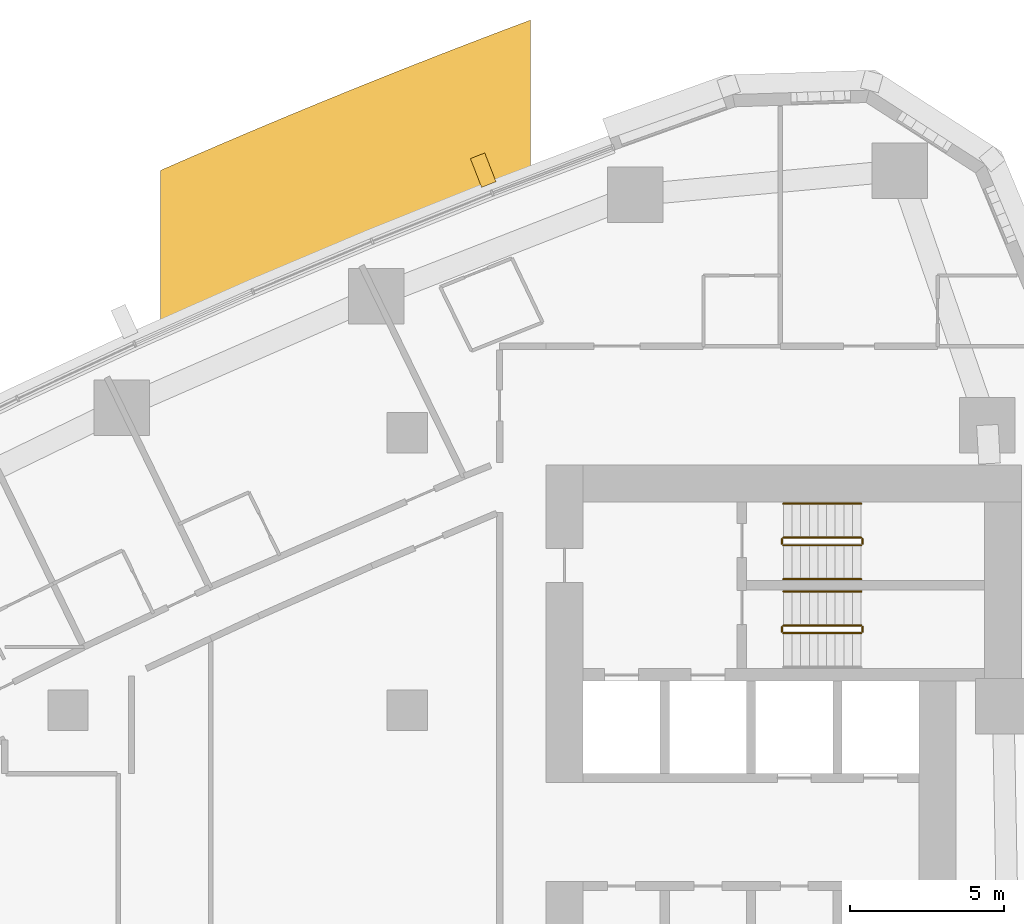
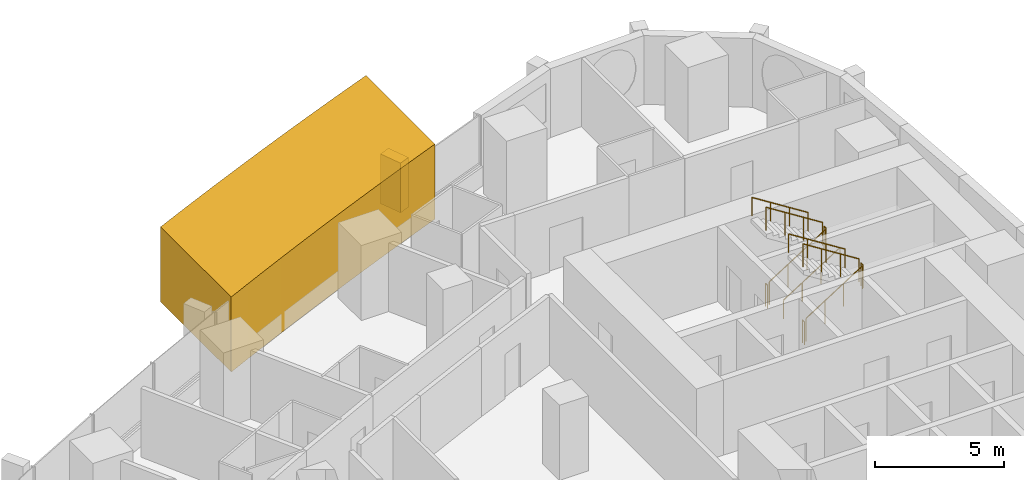
# One storey, part 18 of 19: 11 railings, 2 coverings.
"""IFC4 building model written with IfcOpenShell, lengths in metres."""

from ifc_helpers import new_model, si_unit, direction, frame, frame_2d, origin, origin_2d, place, context, subcontext, project, spatial, polyline, rectangle, circle, outline, extrude, material, layer, layer_set, type_object, element, save


model = new_model("IFC4")

# Units and contexts
model_context = context("Model", 3, precision=1e-05, world=origin(), true_north=direction((0.0, 1.0)))
body_context = subcontext(model_context, "Body", "Model", "MODEL_VIEW")
ifc_project = project(units=[si_unit("LENGTHUNIT", "METRE"), si_unit("AREAUNIT", "SQUARE_METRE"), si_unit("VOLUMEUNIT", "CUBIC_METRE"), si_unit("PLANEANGLEUNIT", "RADIAN"), si_unit("MASSUNIT", "GRAM", prefix="KILO")], contexts=[model_context])

# Site, building, storey
site_placement = place(None, origin())
site = spatial("IfcSite", under=ifc_project, at=site_placement, CompositionType="ELEMENT")
building_placement = place(site_placement, origin())
building = spatial("IfcBuilding", under=site, at=building_placement, Name="Ostrand Prow Hotel Tower", CompositionType="ELEMENT")
storey_placement = place(building_placement, frame((0.0, 0.0, 43.14990234375)))
storey = spatial("IfcBuildingStorey", under=building, at=storey_placement, Name="L08", CompositionType="ELEMENT", Elevation=43.14990234375)

# Coverings
ifc_material_1 = material(Name="Limestone cladding", Category="masonry")
ifc_layer_1 = layer(ifc_material_1, 5.0)
ifc_layer_set_1 = layer_set([ifc_layer_1], Name="Limestone cladding")
covering_type_1 = type_object("IfcCoveringType", Name="Portal jamb pilaster limestone", PredefinedType="CLADDING", material=ifc_layer_set_1)
covering_1_placement = place(storey_placement, origin())
element("IfcCovering", 1, at=covering_1_placement, inside=storey, type_object=covering_type_1, Name="Portal jamb NB L08", PredefinedType="CLADDING", context=body_context, shape_type="SweptSolid", body=[
    extrude(outline(polyline([(37.0, 21.037109375), (38.0, 21.484619140625), (39.0, 21.9267578125), (40.0, 22.363037109375), (41.0, 22.793701171875), (42.0, 23.218505859375), (43.0, 23.637939453125), (44.0, 24.051513671875), (45.0, 24.459716796875), (46.0, 24.862548828125), (47.0, 25.259765625), (48.0, 25.6513671875), (49.0, 26.03759765625), (49.0, 31.384521484375), (48.0, 31.0078125), (47.0, 30.62548828125), (46.0, 30.23828125), (45.0, 29.845703125), (44.0, 29.447509765625), (43.0, 29.044189453125), (42.0, 28.635498046875), (41.0, 28.22119140625), (40.0, 27.801513671875), (39.0, 27.376220703125), (38.0, 26.945556640625), (37.0, 26.50927734375), (37.0, 21.037109375)])), origin(), (0.0, 0.0, 1.0), 3.550048828125),
])
ifc_material_2 = material(Name="Limestone cladding", Category="masonry")
ifc_layer_2 = layer(ifc_material_2, 0.5)
ifc_layer_set_2 = layer_set([ifc_layer_2], Name="Limestone cladding")
covering_type_2 = type_object("IfcCoveringType", Name="Precast stone fin 500x900", PredefinedType="CLADDING", material=ifc_layer_set_2)
covering_2_placement = place(storey_placement, frame((47.64404296875, 26.04931640625, 0.900146484375), z_axis=(0.0, 0.0, 1.0), x_axis=(-0.363294415892, 0.931674389141, 0.0)))
element("IfcCovering", 2, at=covering_2_placement, inside=storey, type_object=covering_type_2, Name="Stone fin N 2", PredefinedType="CLADDING", context=body_context, shape_type="SweptSolid", body=[
    extrude(rectangle(XDim=1.0, YDim=0.5, at=frame_2d((0.5, 0.0))), origin(), (0.0, 0.0, 1.0), 2.349853515625),
])

# Railings
ifc_material_3 = material(Name="Painted steel", Category="steel")
railing_type_1 = type_object("IfcRailingType", Name="Stair guard 1100", PredefinedType="GUARDRAIL", material=ifc_material_3)
railing_1_placement = place(storey_placement, frame((57.199951171875, 11.5, 0.177490234375)))
element("IfcRailing", 3, at=railing_1_placement, inside=storey, type_object=railing_type_1, Name="L08 ST1C stair guard 1", PredefinedType="GUARDRAIL", context=body_context, shape_type="SweptSolid", body=[
    extrude(circle(Radius=0.02392578125, at=origin_2d()), frame((0.0, 0.0, 1.076171875), z_axis=(0.84456994832, 0.0, 0.535445237532), x_axis=(0.0, 1.0, 0.0)), (0.0, 0.0, 1.0), 2.98388671875),
    extrude(circle(Radius=0.02099609375, at=origin_2d()), origin(), (0.0, 0.0, 1.0), 1.052001953125),
    extrude(circle(Radius=0.02099609375, at=origin_2d()), frame((0.840087890625, 0.0, 0.532470703125)), (0.0, 0.0, 1.0), 1.052001953125),
    extrude(circle(Radius=0.02099609375, at=origin_2d()), frame((1.679931640625, 0.0, 1.065185546875)), (0.0, 0.0, 1.0), 1.052001953125),
    extrude(circle(Radius=0.02099609375, at=origin_2d()), frame((2.52001953125, 0.0, 1.59765625)), (0.0, 0.0, 1.0), 1.052001953125),
])
railing_2_placement = place(storey_placement, frame((59.77001953125, 11.550048828125, 1.775146484375)))
element("IfcRailing", 4, at=railing_2_placement, inside=storey, type_object=railing_type_1, Name="L08 ST1C stair guard 2", PredefinedType="GUARDRAIL", context=body_context, shape_type="SweptSolid", body=[
    extrude(circle(Radius=0.02392578125, at=origin_2d()), frame((0.0, 0.0, 1.076171875), z_axis=(0.0, 1.0, 0.0), x_axis=(-1.0, 0.0, 0.0)), (0.0, 0.0, 1.0), 0.14990234375),
    extrude(circle(Radius=0.02099609375, at=origin_2d()), origin(), (0.0, 0.0, 1.0), 1.052001953125),
    extrude(circle(Radius=0.02099609375, at=origin_2d()), frame((0.0, 0.14990234375, 0.0)), (0.0, 0.0, 1.0), 1.052001953125),
])
railing_3_placement = place(storey_placement, frame((59.719970703125, 11.75, 1.95263671875)))
element("IfcRailing", 5, at=railing_3_placement, inside=storey, type_object=railing_type_1, Name="L08 ST1C stair guard 3", PredefinedType="GUARDRAIL", context=body_context, shape_type="SweptSolid", body=[
    extrude(circle(Radius=0.02392578125, at=origin_2d()), frame((0.0, 0.0, 1.076171875), z_axis=(-0.84460694969, 0.0, 0.535386869969), x_axis=(0.0, -1.0, 0.0)), (0.0, 0.0, 1.0), 2.983642578125),
    extrude(circle(Radius=0.02099609375, at=origin_2d()), origin(), (0.0, 0.0, 1.0), 1.052001953125),
    extrude(circle(Radius=0.02099609375, at=origin_2d()), frame((-0.840087890625, 0.0, 0.532470703125)), (0.0, 0.0, 1.0), 1.052001953125),
    extrude(circle(Radius=0.02099609375, at=origin_2d()), frame((-1.679931640625, 0.0, 1.06494140625)), (0.0, 0.0, 1.0), 1.052001953125),
    extrude(circle(Radius=0.02099609375, at=origin_2d()), frame((-2.52001953125, 0.0, 1.597412109375)), (0.0, 0.0, 1.0), 1.052001953125),
])
railing_4_placement = place(storey_placement, frame((57.14990234375, 11.550048828125, 0.0)))
element("IfcRailing", 6, at=railing_4_placement, inside=storey, type_object=railing_type_1, Name="L08 ST1C stair guard 4", PredefinedType="GUARDRAIL", context=body_context, shape_type="SweptSolid", body=[
    extrude(circle(Radius=0.02392578125, at=origin_2d()), frame((0.0, 0.0, 1.076171875), z_axis=(0.0, 1.0, 0.0), x_axis=(-1.0, 0.0, 0.0)), (0.0, 0.0, 1.0), 0.14990234375),
    extrude(circle(Radius=0.02099609375, at=origin_2d()), origin(), (0.0, 0.0, 1.0), 1.052001953125),
    extrude(circle(Radius=0.02099609375, at=origin_2d()), frame((0.0, 0.14990234375, 0.0)), (0.0, 0.0, 1.0), 1.052001953125),
])
railing_5_placement = place(storey_placement, frame((57.199951171875, 14.35009765625, 0.177490234375)))
element("IfcRailing", 7, at=railing_5_placement, inside=storey, type_object=railing_type_1, Name="L08 ST3C stair guard 1", PredefinedType="GUARDRAIL", context=body_context, shape_type="SweptSolid", body=[
    extrude(circle(Radius=0.02392578125, at=origin_2d()), frame((0.0, 0.0, 1.076171875), z_axis=(0.84456994832, 0.0, 0.535445237532), x_axis=(0.0, 1.0, 0.0)), (0.0, 0.0, 1.0), 2.98388671875),
    extrude(circle(Radius=0.02099609375, at=origin_2d()), origin(), (0.0, 0.0, 1.0), 1.052001953125),
    extrude(circle(Radius=0.02099609375, at=origin_2d()), frame((0.840087890625, 0.0, 0.532470703125)), (0.0, 0.0, 1.0), 1.052001953125),
    extrude(circle(Radius=0.02099609375, at=origin_2d()), frame((1.679931640625, 0.0, 1.065185546875)), (0.0, 0.0, 1.0), 1.052001953125),
    extrude(circle(Radius=0.02099609375, at=origin_2d()), frame((2.52001953125, 0.0, 1.59765625)), (0.0, 0.0, 1.0), 1.052001953125),
])
railing_6_placement = place(storey_placement, frame((59.77001953125, 14.39990234375, 1.775146484375)))
element("IfcRailing", 8, at=railing_6_placement, inside=storey, type_object=railing_type_1, Name="L08 ST3C stair guard 2", PredefinedType="GUARDRAIL", context=body_context, shape_type="SweptSolid", body=[
    extrude(circle(Radius=0.02392578125, at=origin_2d()), frame((0.0, 0.0, 1.076171875), z_axis=(0.0, 1.0, 0.0), x_axis=(-1.0, 0.0, 0.0)), (0.0, 0.0, 1.0), 0.150146484375),
    extrude(circle(Radius=0.02099609375, at=origin_2d()), origin(), (0.0, 0.0, 1.0), 1.052001953125),
    extrude(circle(Radius=0.02099609375, at=origin_2d()), frame((0.0, 0.150146484375, 0.0)), (0.0, 0.0, 1.0), 1.052001953125),
])
railing_7_placement = place(storey_placement, frame((59.719970703125, 14.60009765625, 1.95263671875)))
element("IfcRailing", 9, at=railing_7_placement, inside=storey, type_object=railing_type_1, Name="L08 ST3C stair guard 3", PredefinedType="GUARDRAIL", context=body_context, shape_type="SweptSolid", body=[
    extrude(circle(Radius=0.02392578125, at=origin_2d()), frame((0.0, 0.0, 1.076171875), z_axis=(-0.84460694969, 0.0, 0.535386869969), x_axis=(0.0, -1.0, 0.0)), (0.0, 0.0, 1.0), 2.983642578125),
    extrude(circle(Radius=0.02099609375, at=origin_2d()), origin(), (0.0, 0.0, 1.0), 1.052001953125),
    extrude(circle(Radius=0.02099609375, at=origin_2d()), frame((-0.840087890625, 0.0, 0.532470703125)), (0.0, 0.0, 1.0), 1.052001953125),
    extrude(circle(Radius=0.02099609375, at=origin_2d()), frame((-1.679931640625, 0.0, 1.06494140625)), (0.0, 0.0, 1.0), 1.052001953125),
    extrude(circle(Radius=0.02099609375, at=origin_2d()), frame((-2.52001953125, 0.0, 1.597412109375)), (0.0, 0.0, 1.0), 1.052001953125),
])
railing_8_placement = place(storey_placement, frame((57.14990234375, 14.39990234375, 0.0)))
element("IfcRailing", 10, at=railing_8_placement, inside=storey, type_object=railing_type_1, Name="L08 ST3C stair guard 4", PredefinedType="GUARDRAIL", context=body_context, shape_type="SweptSolid", body=[
    extrude(circle(Radius=0.02392578125, at=origin_2d()), frame((0.0, 0.0, 1.076171875), z_axis=(0.0, 1.0, 0.0), x_axis=(-1.0, 0.0, 0.0)), (0.0, 0.0, 1.0), 0.150146484375),
    extrude(circle(Radius=0.02099609375, at=origin_2d()), origin(), (0.0, 0.0, 1.0), 1.052001953125),
    extrude(circle(Radius=0.02099609375, at=origin_2d()), frame((0.0, 0.150146484375, 0.0)), (0.0, 0.0, 1.0), 1.052001953125),
])
ifc_material_4 = material(Name="Stainless steel", Category="steel")
railing_type_2 = type_object("IfcRailingType", Name="Stair handrail 900", PredefinedType="HANDRAIL", material=ifc_material_4)
railing_9_placement = place(storey_placement, frame((59.719970703125, 12.85009765625, 1.95263671875)))
element("IfcRailing", 11, at=railing_9_placement, inside=storey, type_object=railing_type_2, Name="L08 ST1C stair handrail 2", PredefinedType="HANDRAIL", context=body_context, shape_type="SweptSolid", body=[
    extrude(circle(Radius=0.02392578125, at=origin_2d()), frame((0.0, 0.0, 0.8759765625), z_axis=(-0.84460694969, 0.0, 0.535386869969), x_axis=(0.0, -1.0, 0.0)), (0.0, 0.0, 1.0), 2.983642578125),
    extrude(circle(Radius=0.02099609375, at=origin_2d()), origin(), (0.0, 0.0, 1.0), 0.851806640625),
    extrude(circle(Radius=0.02099609375, at=origin_2d()), frame((-0.840087890625, 0.0, 0.532470703125)), (0.0, 0.0, 1.0), 0.851806640625),
    extrude(circle(Radius=0.02099609375, at=origin_2d()), frame((-1.679931640625, 0.0, 1.06494140625)), (0.0, 0.0, 1.0), 0.851806640625),
    extrude(circle(Radius=0.02099609375, at=origin_2d()), frame((-2.52001953125, 0.0, 1.597412109375)), (0.0, 0.0, 1.0), 0.851806640625),
])
railing_10_placement = place(storey_placement, frame((57.199951171875, 13.25, 0.177490234375)))
element("IfcRailing", 12, at=railing_10_placement, inside=storey, type_object=railing_type_2, Name="L08 ST3C stair handrail 1", PredefinedType="HANDRAIL", context=body_context, shape_type="SweptSolid", body=[
    extrude(circle(Radius=0.02392578125, at=origin_2d()), frame((0.0, 0.0, 0.8759765625), z_axis=(0.84456994832, 0.0, 0.535445237532), x_axis=(0.0, 1.0, 0.0)), (0.0, 0.0, 1.0), 2.98388671875),
    extrude(circle(Radius=0.02099609375, at=origin_2d()), origin(), (0.0, 0.0, 1.0), 0.851806640625),
    extrude(circle(Radius=0.02099609375, at=origin_2d()), frame((0.840087890625, 0.0, 0.532470703125)), (0.0, 0.0, 1.0), 0.851806640625),
    extrude(circle(Radius=0.02099609375, at=origin_2d()), frame((1.679931640625, 0.0, 1.065185546875)), (0.0, 0.0, 1.0), 0.851806640625),
    extrude(circle(Radius=0.02099609375, at=origin_2d()), frame((2.52001953125, 0.0, 1.59765625)), (0.0, 0.0, 1.0), 0.851806640625),
])
railing_11_placement = place(storey_placement, frame((59.719970703125, 15.699951171875, 1.95263671875)))
element("IfcRailing", 13, at=railing_11_placement, inside=storey, type_object=railing_type_2, Name="L08 ST3C stair handrail 2", PredefinedType="HANDRAIL", context=body_context, shape_type="SweptSolid", body=[
    extrude(circle(Radius=0.02392578125, at=origin_2d()), frame((0.0, 0.0, 0.8759765625), z_axis=(-0.84460694969, 0.0, 0.535386869969), x_axis=(0.0, -1.0, 0.0)), (0.0, 0.0, 1.0), 2.983642578125),
    extrude(circle(Radius=0.02099609375, at=origin_2d()), origin(), (0.0, 0.0, 1.0), 0.851806640625),
    extrude(circle(Radius=0.02099609375, at=origin_2d()), frame((-0.840087890625, 0.0, 0.532470703125)), (0.0, 0.0, 1.0), 0.851806640625),
    extrude(circle(Radius=0.02099609375, at=origin_2d()), frame((-1.679931640625, 0.0, 1.06494140625)), (0.0, 0.0, 1.0), 0.851806640625),
    extrude(circle(Radius=0.02099609375, at=origin_2d()), frame((-2.52001953125, 0.0, 1.597412109375)), (0.0, 0.0, 1.0), 0.851806640625),
])

save(model, "model.ifc")
